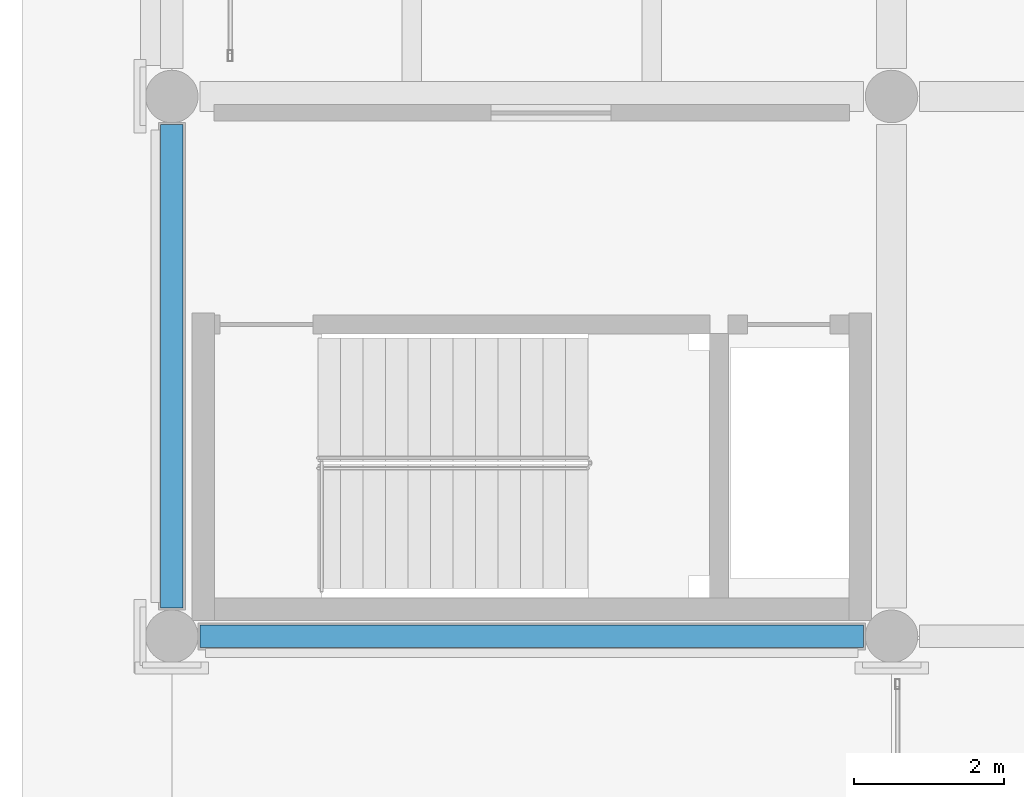
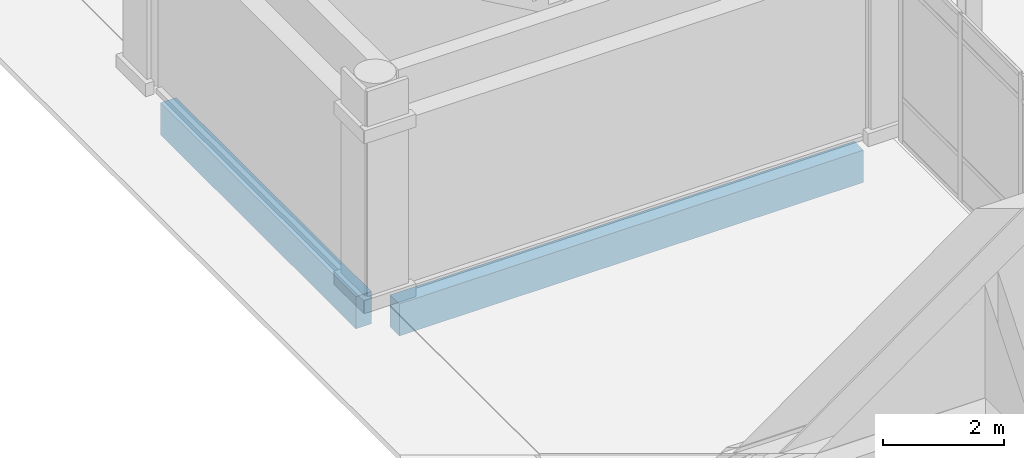
# One storey, part 45 of 196: 2 beams.
"""IFC4 building model written with IfcOpenShell, lengths in metres."""

import ifcopenshell
import ifcopenshell.guid

model = None  # the IFC model being written
_history = None  # IfcOwnerHistory: only IFC2X3 demands one
_inside = {}  # id of a spatial element -> (the spatial element, [elements in it])
_under = {}  # id of a project, library or spatial element -> (it, [spatial elements below it])
_declared = {}  # id of a project -> (the project, [libraries it declares])
_typed = {}  # id of a type object -> (the type object, [elements of that type])
_made_of = {}  # id of a material, layer set ... -> (it, [elements and type objects made of it])


def new_model(schema):
    """Start an empty IFC model of exactly this schema.

    Asked for "IFC4X3", IfcOpenShell would pick the latest addendum, in which some entities
    have other attributes; the version numbers below select the first issue.
    IFC2X3 requires an IfcOwnerHistory on every rooted entity: one is made here for all.
    """
    global model, _history
    if schema == "IFC4X3":
        model = ifcopenshell.file(schema_version=(4, 3, 0, 0))
    else:
        model = ifcopenshell.file(schema=schema)
    _inside.clear()
    _under.clear()
    _declared.clear()
    _typed.clear()
    _made_of.clear()
    _history = None
    if model.schema == "IFC2X3":
        org = make("IfcOrganization", Name="unknown")
        user = make(
            "IfcPersonAndOrganization",
            ThePerson=make("IfcPerson", FamilyName="unknown"),
            TheOrganization=org,
        )
        app = make(
            "IfcApplication",
            ApplicationDeveloper=org,
            Version="unknown",
            ApplicationFullName="unknown",
            ApplicationIdentifier="unknown",
        )
        _history = make(
            "IfcOwnerHistory",
            OwningUser=user,
            OwningApplication=app,
            ChangeAction="ADDED",
            CreationDate=0,
        )
    return model


def make(cls, **values):
    """One entity of the class cls with the attributes given. An attribute that is None is left unset."""
    return model.create_entity(
        cls, **{name: value for name, value in values.items() if value is not None}
    )


def rooted(cls, **values):
    """An entity with a GlobalId (a new one), such as an element, a storey or a relation."""
    return make(cls, GlobalId=ifcopenshell.guid.new(), OwnerHistory=_history, **values)


def si_unit(unit_type, name, prefix=None):
    """IfcSIUnit, for example si_unit("LENGTHUNIT", "METRE", prefix="MILLI")."""
    return make("IfcSIUnit", UnitType=unit_type, Prefix=prefix, Name=name)


def assignment(units):
    """IfcUnitAssignment: the units of a project."""
    return None if units is None else make("IfcUnitAssignment", Units=units)


def point(xyz):
    """IfcCartesianPoint."""
    return None if xyz is None else make("IfcCartesianPoint", Coordinates=xyz)


def direction(xyz):
    """IfcDirection."""
    return None if xyz is None else make("IfcDirection", DirectionRatios=xyz)


def frame(location, z_axis=None, x_axis=None):
    """IfcAxis2Placement3D, a coordinate frame: its origin and axes. An axis left out is left unset."""
    return make(
        "IfcAxis2Placement3D",
        Location=point(location),
        Axis=direction(z_axis),
        RefDirection=direction(x_axis),
    )


def frame_2d(location, x_axis=None):
    """IfcAxis2Placement2D, a coordinate frame in the plane: its origin and x axis."""
    return make(
        "IfcAxis2Placement2D", Location=point(location), RefDirection=direction(x_axis)
    )


def origin():
    """The frame at (0, 0, 0) with its axes left unset."""
    return frame((0.0, 0.0, 0.0))


def origin_2d():
    """The frame at (0, 0) in the plane with its x axis left unset."""
    return frame_2d((0.0, 0.0))


def place(relative_to, where):
    """IfcLocalPlacement: puts the frame where relative to a parent placement (None: the world)."""
    return make(
        "IfcLocalPlacement", PlacementRelTo=relative_to, RelativePlacement=where
    )


def context(
    kind, dimensions, precision=None, world=None, true_north=None, identifier=None
):
    """IfcGeometricRepresentationContext, for example the 3D "Model" context."""
    return make(
        "IfcGeometricRepresentationContext",
        ContextIdentifier=identifier,
        ContextType=kind,
        CoordinateSpaceDimension=dimensions,
        Precision=precision,
        WorldCoordinateSystem=world,
        TrueNorth=true_north,
    )


def subcontext(parent, identifier, kind, view, scale=None):
    """IfcGeometricRepresentationSubContext, for example "Body" below "Model"."""
    return make(
        "IfcGeometricRepresentationSubContext",
        ContextIdentifier=identifier,
        ContextType=kind,
        ParentContext=parent,
        TargetScale=scale,
        TargetView=view,
    )


def project(units=None, contexts=None):
    """IfcProject with its units and contexts."""
    return rooted(
        "IfcProject",
        Name="project",
        RepresentationContexts=contexts,
        UnitsInContext=assignment(units),
    )


def spatial(cls, under=None, at=None, **own):
    """A site, building, storey or space (cls), placed at a placement, below another one or the project."""
    s = rooted(cls, ObjectPlacement=at, **own)
    if under is not None:
        _under.setdefault(under.id(), (under, []))[1].append(s)
    return s


def profile(cls, at=None, kind="AREA", **sizes):
    """A parametric profile (cls). Its sizes go by their IFC names, for example OverallWidth=200.0."""
    return make(cls, ProfileType=kind, Position=at, **sizes)


def rectangle(**sizes):
    """IfcRectangleProfileDef."""
    return profile("IfcRectangleProfileDef", **sizes)


def extrude(swept, where, along, depth):
    """IfcExtrudedAreaSolid: the profile swept, set in the frame where, extruded along a direction by depth."""
    return make(
        "IfcExtrudedAreaSolid",
        SweptArea=swept,
        Position=where,
        ExtrudedDirection=direction(along),
        Depth=depth,
    )


def shape(context_of_items, identifier, shape_type, items):
    """IfcShapeRepresentation: the items that make up one representation, for example the "Body"."""
    return make(
        "IfcShapeRepresentation",
        ContextOfItems=context_of_items,
        RepresentationIdentifier=identifier,
        RepresentationType=shape_type,
        Items=items,
    )


def material(Name=None, Category=None):
    """IfcMaterial."""
    return make("IfcMaterial", Name=Name, Category=Category)


def material_profile(
    of_material, cross_section, Name=None, Category=None, Priority=None
):
    """IfcMaterialProfile: a cross section and its material."""
    return make(
        "IfcMaterialProfile",
        Name=Name,
        Material=of_material,
        Profile=cross_section,
        Priority=Priority,
        Category=Category,
    )


def profile_set(profiles, Name=None, composite=None):
    """IfcMaterialProfileSet."""
    return make(
        "IfcMaterialProfileSet",
        Name=Name,
        MaterialProfiles=profiles,
        CompositeProfile=composite,
    )


def made_of(thing, what):
    """Note that an element or type object is made of a material, layer set ...; save() writes the relation."""
    if what is not None:
        _made_of.setdefault(what.id(), (what, []))[1].append(thing)
    return thing


def type_object(cls, material=None, **own):
    """A type object (cls), such as IfcWallType, which elements share."""
    return made_of(rooted(cls, **own), material)


def element(
    cls,
    number,
    at=None,
    inside=None,
    cuts=None,
    type_object=None,
    material=None,
    context=None,
    identifier="Body",
    shape_type=None,
    held_by="IfcProductDefinitionShape",
    body=None,
    shapes=None,
    **own,
):
    """One element of the class cls, such as IfcWall. Its Tag is "e" and its number.

    at: its placement. inside: the storey or other place that contains it. cuts: it is an
    opening in that element (IfcRelVoidsElement). A single representation is given by context,
    identifier, shape_type and body (its items); several are given by shapes. held_by: the class
    of the entity that holds the representations. save() writes the other relations.
    """
    e = rooted(cls, Tag="e%d" % number, ObjectPlacement=at, **own)
    if body is not None:
        shapes = [shape(context, identifier, shape_type, body)]
    if shapes is not None:
        e.Representation = make(held_by, Representations=shapes)
    if inside is not None:
        _inside.setdefault(inside.id(), (inside, []))[1].append(e)
    if cuts is not None:
        rooted(
            "IfcRelVoidsElement", RelatingBuildingElement=cuts, RelatedOpeningElement=e
        )
    if type_object is not None:
        _typed.setdefault(type_object.id(), (type_object, []))[1].append(e)
    return made_of(e, material)


def aggregate(whole, parts):
    """IfcRelAggregates: a whole, such as a stair, and the parts it consists of."""
    return rooted("IfcRelAggregates", RelatingObject=whole, RelatedObjects=parts)


def save(model, path):
    """Write the relations noted so far, then the file.

    IfcRelAggregates (storeys below a building ...), IfcRelContainedInSpatialStructure (elements
    in a storey), IfcRelDefinesByType, IfcRelAssociatesMaterial and IfcRelDeclares: one each for
    every whole, place, type object, material and project.
    """
    for whole, parts in _under.values():
        aggregate(whole, parts)
    for where, things in _inside.values():
        rooted(
            "IfcRelContainedInSpatialStructure",
            RelatedElements=things,
            RelatingStructure=where,
        )
    for kind, things in _typed.values():
        rooted("IfcRelDefinesByType", RelatedObjects=things, RelatingType=kind)
    for what, things in _made_of.values():
        rooted("IfcRelAssociatesMaterial", RelatedObjects=things, RelatingMaterial=what)
    for by, libraries in _declared.values():
        rooted("IfcRelDeclares", RelatingContext=by, RelatedDefinitions=libraries)
    model.write(path)


model = new_model("IFC4")

# Units and contexts
model_context = context("Model", 3, precision=1e-05, world=origin(), true_north=direction((0.0, 1.0)))
body_context = subcontext(model_context, "Body", "Model", "MODEL_VIEW")
ifc_project = project(units=[si_unit("LENGTHUNIT", "METRE"), si_unit("AREAUNIT", "SQUARE_METRE"), si_unit("VOLUMEUNIT", "CUBIC_METRE"), si_unit("PLANEANGLEUNIT", "RADIAN"), si_unit("MASSUNIT", "GRAM", prefix="KILO")], contexts=[model_context])

# Site, building, storey
site_placement = place(None, origin())
site = spatial("IfcSite", under=ifc_project, at=site_placement, CompositionType="ELEMENT")
building_placement = place(site_placement, origin())
building = spatial("IfcBuilding", under=site, at=building_placement, Name="Asteropetra Specialist Clinic", CompositionType="ELEMENT")
storey_placement = place(building_placement, origin())
storey = spatial("IfcBuildingStorey", under=building, at=storey_placement, Name="L00", CompositionType="ELEMENT", Elevation=0.0)

# Beams
ifc_material = material(Name="Concrete C35/45", Category="concrete")
ifc_material_profile = material_profile(ifc_material, rectangle(XDim=0.300048828125, YDim=0.64990234375, at=origin_2d()), Name="RCS 300x650")
ifc_profile_set = profile_set([ifc_material_profile], Name="Concrete C35/45")
beam_type = type_object("IfcBeamType", Name="SPN-RC300x650", PredefinedType="SPANDREL", material=ifc_profile_set)
beam_1_placement = place(storey_placement, frame((0.375, 33.60009765625, -0.635009765625), z_axis=(1.0, 0.0, 0.0), x_axis=(0.0, 1.0, 0.0)))
element("IfcBeam", 1, at=beam_1_placement, inside=storey, type_object=beam_type, Name="Beam BSPN03-0133", PredefinedType="SPANDREL", context=body_context, shape_type="SweptSolid", body=[
    extrude(rectangle(XDim=0.300048828125, YDim=0.64990234375, at=origin_2d()), origin(), (0.0, 0.0, 1.0), 8.85009765625),
])
beam_2_placement = place(storey_placement, frame((0.0, 33.97509765625, -0.625), z_axis=(0.0, 1.0, 0.0), x_axis=(-1.0, 0.0, 0.0)))
element("IfcBeam", 2, at=beam_2_placement, inside=storey, type_object=beam_type, Name="Beam BSPN03-0158", PredefinedType="SPANDREL", context=body_context, shape_type="SweptSolid", body=[
    extrude(rectangle(XDim=0.300048828125, YDim=0.64990234375, at=origin_2d()), origin(), (0.0, 0.0, 1.0), 6.449951171875),
])

save(model, "model.ifc")
